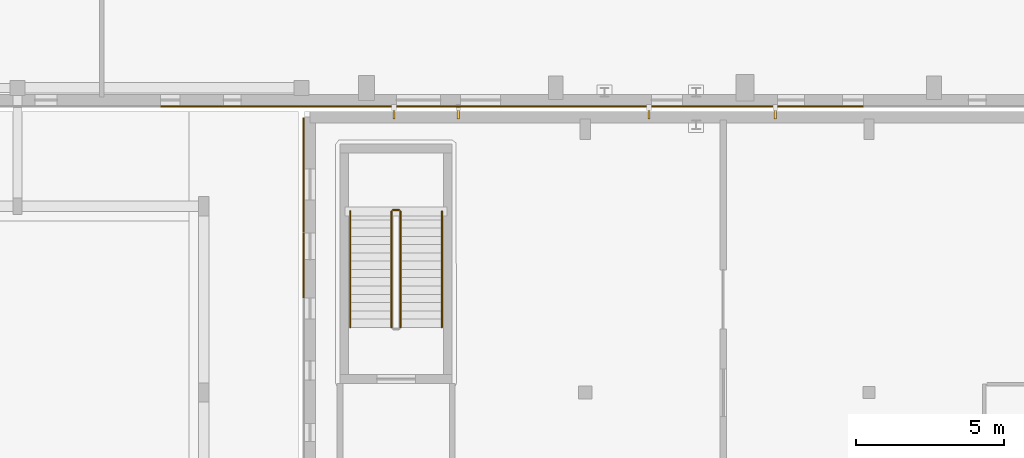
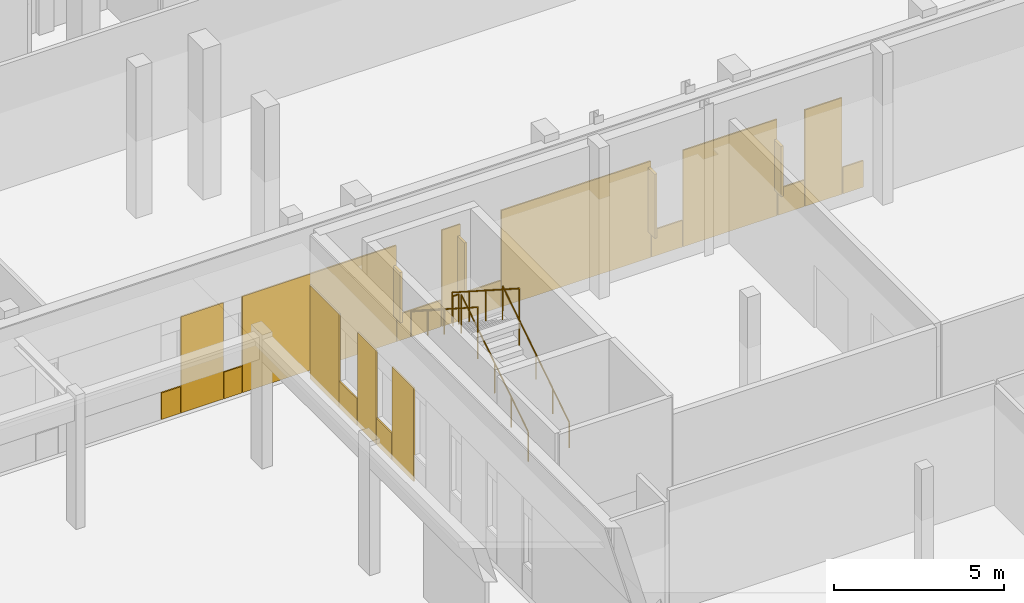
# One storey, part 66 of 84: 18 coverings, 5 railings, 4 shading devices.
"""IFC4 building model written with IfcOpenShell, lengths in metres."""

from ifc_helpers import new_model, si_unit, direction, frame, origin, origin_2d, place, context, subcontext, project, spatial, rectangle, circle, extrude, material, layer, layer_set, type_object, element, save


model = new_model("IFC4")

# Units and contexts
model_context = context("Model", 3, precision=1e-05, world=origin(), true_north=direction((0.0, 1.0)))
body_context = subcontext(model_context, "Body", "Model", "MODEL_VIEW")
ifc_project = project(units=[si_unit("LENGTHUNIT", "METRE"), si_unit("AREAUNIT", "SQUARE_METRE"), si_unit("VOLUMEUNIT", "CUBIC_METRE"), si_unit("PLANEANGLEUNIT", "RADIAN"), si_unit("MASSUNIT", "GRAM", prefix="KILO")], contexts=[model_context])

# Site, building, storey
site_placement = place(None, origin())
site = spatial("IfcSite", under=ifc_project, at=site_placement, CompositionType="ELEMENT")
building_placement = place(site_placement, origin())
building = spatial("IfcBuilding", under=site, at=building_placement, Name="Mzevani Central Library", CompositionType="ELEMENT")
storey_placement = place(building_placement, origin())
storey = spatial("IfcBuildingStorey", under=building, at=storey_placement, Name="L00", CompositionType="ELEMENT", Elevation=0.0)

# Shading devices
ifc_material_1 = material(Name="Anodized architectural bronze")
shading_device_type = type_object("IfcShadingDeviceType", Name="Anodized Bronze Vertical Sun-Breaker Fin", PredefinedType="USERDEFINED", material=ifc_material_1)
shading_device_1_placement = place(storey_placement, frame((128.030029296875, 42.27490234375, 0.9501953125), z_axis=(0.0, 0.0, 1.0), x_axis=(-1.0, 0.0, 0.0)))
element("IfcShadingDevice", 1, at=shading_device_1_placement, inside=storey, type_object=shading_device_type, Name="L00 V1 Solar Fin (12)", ObjectType="SOLAR FIN", PredefinedType="USERDEFINED", context=body_context, shape_type="SweptSolid", body=[
    extrude(rectangle(XDim=0.080078125, YDim=0.449951171875, at=origin_2d()), origin(), (0.0, 0.0, 1.0), 1.800048828125),
])
shading_device_2_placement = place(storey_placement, frame((123.7548828125, 42.27490234375, 0.9501953125), z_axis=(0.0, 0.0, 1.0), x_axis=(-1.0, 0.0, 0.0)))
element("IfcShadingDevice", 2, at=shading_device_2_placement, inside=storey, type_object=shading_device_type, Name="L00 V1 Solar Fin (13)", ObjectType="SOLAR FIN", PredefinedType="USERDEFINED", context=body_context, shape_type="SweptSolid", body=[
    extrude(rectangle(XDim=0.080078125, YDim=0.449951171875, at=origin_2d()), origin(), (0.0, 0.0, 1.0), 2.300048828125),
])
shading_device_3_placement = place(storey_placement, frame((117.304931640625, 42.27490234375, 0.949951171875), z_axis=(0.0, 0.0, 1.0), x_axis=(-1.0, 0.0, 0.0)))
element("IfcShadingDevice", 3, at=shading_device_3_placement, inside=storey, type_object=shading_device_type, Name="L00 V1 Solar Fin (14)", ObjectType="SOLAR FIN", PredefinedType="USERDEFINED", context=body_context, shape_type="SweptSolid", body=[
    extrude(rectangle(XDim=0.080078125, YDim=0.449951171875, at=origin_2d()), origin(), (0.0, 0.0, 1.0), 2.10009765625),
])
shading_device_4_placement = place(storey_placement, frame((115.1298828125, 42.27490234375, 0.9501953125), z_axis=(0.0, 0.0, 1.0), x_axis=(-1.0, 0.0, 0.0)))
element("IfcShadingDevice", 4, at=shading_device_4_placement, inside=storey, type_object=shading_device_type, Name="L00 V1 Solar Fin (15)", ObjectType="SOLAR FIN", PredefinedType="USERDEFINED", context=body_context, shape_type="SweptSolid", body=[
    extrude(rectangle(XDim=0.080078125, YDim=0.449951171875, at=origin_2d()), origin(), (0.0, 0.0, 1.0), 1.800048828125),
])

# Railings
ifc_material_2 = material(Name="Brushed stainless steel rail", Category="steel")
railing_type_1 = type_object("IfcRailingType", Name="Interior Gallery and Stair Guard 1100", PredefinedType="BALUSTRADE", material=ifc_material_2)
railing_1_placement = place(storey_placement, frame((115.35009765625, 35.0, 0.179931640625)))
element("IfcRailing", 5, at=railing_1_placement, inside=storey, type_object=railing_type_1, Name="L00 ST-11 stair guard 1", PredefinedType="BALUSTRADE", context=body_context, shape_type="SweptSolid", body=[
    extrude(circle(Radius=0.02392578125, at=origin_2d()), frame((0.0, 0.0, 1.076171875), z_axis=(0.0, 0.841171666519, 0.540768182723), x_axis=(-1.0, 0.0, 0.0)), (0.0, 0.0, 1.0), 4.66015625),
    extrude(circle(Radius=0.02099609375, at=origin_2d()), origin(), (0.0, 0.0, 1.0), 1.052001953125),
    extrude(circle(Radius=0.02099609375, at=origin_2d()), frame((0.0, 0.97998046875, 0.6298828125)), (0.0, 0.0, 1.0), 1.052001953125),
    extrude(circle(Radius=0.02099609375, at=origin_2d()), frame((0.0, 1.9599609375, 1.260009765625)), (0.0, 0.0, 1.0), 1.052001953125),
    extrude(circle(Radius=0.02099609375, at=origin_2d()), frame((0.0, 2.93994140625, 1.89013671875)), (0.0, 0.0, 1.0), 1.052001953125),
    extrude(circle(Radius=0.02099609375, at=origin_2d()), frame((0.0, 3.919921875, 2.52001953125)), (0.0, 0.0, 1.0), 1.052001953125),
])
railing_2_placement = place(storey_placement, frame((115.300048828125, 38.969970703125, 2.699951171875)))
element("IfcRailing", 6, at=railing_2_placement, inside=storey, type_object=railing_type_1, Name="L00 ST-11 stair guard 2", PredefinedType="BALUSTRADE", context=body_context, shape_type="SweptSolid", body=[
    extrude(circle(Radius=0.02392578125, at=origin_2d()), frame((0.0, 0.0, 1.076171875), z_axis=(-1.0, 0.0, 0.0), x_axis=(0.0, -1.0, 0.0)), (0.0, 0.0, 1.0), 0.199951171875),
    extrude(circle(Radius=0.02099609375, at=origin_2d()), origin(), (0.0, 0.0, 1.0), 1.052001953125),
    extrude(circle(Radius=0.02099609375, at=origin_2d()), frame((-0.199951171875, 0.0, 0.0)), (0.0, 0.0, 1.0), 1.052001953125),
])
railing_3_placement = place(storey_placement, frame((115.050048828125, 38.919921875, 2.8798828125)))
element("IfcRailing", 7, at=railing_3_placement, inside=storey, type_object=railing_type_1, Name="L00 ST-11 stair guard 3", PredefinedType="BALUSTRADE", context=body_context, shape_type="SweptSolid", body=[
    extrude(circle(Radius=0.02392578125, at=origin_2d()), frame((0.0, 0.0, 1.076171875), z_axis=(0.0, -0.841171666519, 0.540768182723), x_axis=(1.0, 0.0, 0.0)), (0.0, 0.0, 1.0), 4.66015625),
    extrude(circle(Radius=0.02099609375, at=origin_2d()), origin(), (0.0, 0.0, 1.0), 1.052001953125),
    extrude(circle(Radius=0.02099609375, at=origin_2d()), frame((0.0, -0.97998046875, 0.6298828125)), (0.0, 0.0, 1.0), 1.052001953125),
    extrude(circle(Radius=0.02099609375, at=origin_2d()), frame((0.0, -1.9599609375, 1.260009765625)), (0.0, 0.0, 1.0), 1.052001953125),
    extrude(circle(Radius=0.02099609375, at=origin_2d()), frame((0.0, -2.93994140625, 1.89013671875)), (0.0, 0.0, 1.0), 1.052001953125),
    extrude(circle(Radius=0.02099609375, at=origin_2d()), frame((0.0, -3.919921875, 2.52001953125)), (0.0, 0.0, 1.0), 1.052001953125),
])

# Coverings
ifc_material_3 = material(Name="Limestone ashlar cladding", Category="masonry")
ifc_layer = layer(ifc_material_3, 0.050048828125, Name="Limestone Ashlar Spandrel Cladding")
ifc_layer_set = layer_set([ifc_layer], Name="Limestone ashlar cladding")
covering_type = type_object("IfcCoveringType", Name="Limestone Ashlar Spandrel Cladding", PredefinedType="CLADDING", material=ifc_layer_set)
covering_1_placement = place(storey_placement, frame((130.659912109375, 42.47607421875, 0.0), z_axis=(0.0, 0.0, 1.0), x_axis=(-1.0, 0.0, 0.0)))
element("IfcCovering", 8, at=covering_1_placement, inside=storey, type_object=covering_type, Name="L00 Warm-White Sill Cladding 22 (EW4-V1-L00-0002)", PredefinedType="CLADDING", context=body_context, shape_type="SweptSolid", body=[
    extrude(rectangle(XDim=0.699951171875, YDim=0.050048828125, at=origin_2d()), origin(), (0.0, 0.0, 1.0), 0.949951171875),
])
covering_2_placement = place(storey_placement, frame((129.659912109375, 42.47607421875, 0.0), z_axis=(0.0, 0.0, 1.0), x_axis=(-1.0, 0.0, 0.0)))
element("IfcCovering", 9, at=covering_2_placement, inside=storey, type_object=covering_type, Name="L00 Warm-White Facade Pier 23 (EW4-V1-L00-0002)", PredefinedType="CLADDING", context=body_context, shape_type="SweptSolid", body=[
    extrude(rectangle(XDim=1.260009765625, YDim=0.050048828125, at=origin_2d()), origin(), (0.0, 0.0, 1.0), 3.449951171875),
])
covering_3_placement = place(storey_placement, frame((128.56005859375, 42.47607421875, 0.0), z_axis=(0.0, 0.0, 1.0), x_axis=(-1.0, 0.0, 0.0)))
element("IfcCovering", 10, at=covering_3_placement, inside=storey, type_object=covering_type, Name="L00 Warm-White Sill Cladding 24 (EW4-V1-L00-0002)", PredefinedType="CLADDING", context=body_context, shape_type="SweptSolid", body=[
    extrude(rectangle(XDim=0.89990234375, YDim=0.050048828125, at=origin_2d()), origin(), (0.0, 0.0, 1.0), 0.949951171875),
])
covering_4_placement = place(storey_placement, frame((126.49755859375, 42.47607421875, 0.0), z_axis=(0.0, 0.0, 1.0), x_axis=(-1.0, 0.0, 0.0)))
element("IfcCovering", 11, at=covering_4_placement, inside=storey, type_object=covering_type, Name="L00 Warm-White Facade Pier 25 (EW4-V1-L00-0002)", PredefinedType="CLADDING", context=body_context, shape_type="SweptSolid", body=[
    extrude(rectangle(XDim=3.18505859375, YDim=0.050048828125, at=origin_2d()), origin(), (0.0, 0.0, 1.0), 3.449951171875),
])
covering_5_placement = place(storey_placement, frame((124.360107421875, 42.47607421875, 0.0), z_axis=(0.0, 0.0, 1.0), x_axis=(-1.0, 0.0, 0.0)))
element("IfcCovering", 12, at=covering_5_placement, inside=storey, type_object=covering_type, Name="L00 Warm-White Sill Cladding 26 (EW4-V1-L00-0002)", PredefinedType="CLADDING", context=body_context, shape_type="SweptSolid", body=[
    extrude(rectangle(XDim=1.050048828125, YDim=0.050048828125, at=origin_2d()), origin(), (0.0, 0.0, 1.0), 0.949951171875),
])
covering_6_placement = place(storey_placement, frame((121.284912109375, 42.47607421875, 0.0), z_axis=(0.0, 0.0, 1.0), x_axis=(-1.0, 0.0, 0.0)))
element("IfcCovering", 13, at=covering_6_placement, inside=storey, type_object=covering_type, Name="L00 Warm-White Facade Pier 27 (EW4-V1-L00-0002)", PredefinedType="CLADDING", context=body_context, shape_type="SweptSolid", body=[
    extrude(rectangle(XDim=5.06005859375, YDim=0.050048828125, at=origin_2d()), origin(), (0.0, 0.0, 1.0), 3.449951171875),
])
covering_7_placement = place(storey_placement, frame((118.06005859375, 42.47607421875, 0.0), z_axis=(0.0, 0.0, 1.0), x_axis=(-1.0, 0.0, 0.0)))
element("IfcCovering", 14, at=covering_7_placement, inside=storey, type_object=covering_type, Name="L00 Warm-White Sill Cladding 28 (EW4-V1-L00-0002)", PredefinedType="CLADDING", context=body_context, shape_type="SweptSolid", body=[
    extrude(rectangle(XDim=1.35009765625, YDim=0.050048828125, at=origin_2d()), origin(), (0.0, 0.0, 1.0), 0.949951171875),
])
covering_8_placement = place(storey_placement, frame((117.047607421875, 42.47607421875, 0.0), z_axis=(0.0, 0.0, 1.0), x_axis=(-1.0, 0.0, 0.0)))
element("IfcCovering", 15, at=covering_8_placement, inside=storey, type_object=covering_type, Name="L00 Warm-White Facade Pier 29 (EW4-V1-L00-0002)", PredefinedType="CLADDING", context=body_context, shape_type="SweptSolid", body=[
    extrude(rectangle(XDim=0.635009765625, YDim=0.050048828125, at=origin_2d()), origin(), (0.0, 0.0, 1.0), 3.449951171875),
])
covering_9_placement = place(storey_placement, frame((115.9599609375, 42.47607421875, 0.0), z_axis=(0.0, 0.0, 1.0), x_axis=(-1.0, 0.0, 0.0)))
element("IfcCovering", 16, at=covering_9_placement, inside=storey, type_object=covering_type, Name="L00 Warm-White Sill Cladding 30 (EW4-V1-L00-0002)", PredefinedType="CLADDING", context=body_context, shape_type="SweptSolid", body=[
    extrude(rectangle(XDim=1.5, YDim=0.050048828125, at=origin_2d()), origin(), (0.0, 0.0, 1.0), 0.949951171875),
])
covering_10_placement = place(storey_placement, frame((112.5849609375, 42.47607421875, 0.0), z_axis=(0.0, 0.0, 1.0), x_axis=(-1.0, 0.0, 0.0)))
element("IfcCovering", 17, at=covering_10_placement, inside=storey, type_object=covering_type, Name="L00 Warm-White Facade Pier 31 (EW4-V1-L00-0002)", PredefinedType="CLADDING", context=body_context, shape_type="SweptSolid", body=[
    extrude(rectangle(XDim=5.2099609375, YDim=0.050048828125, at=origin_2d()), origin(), (0.0, 0.0, 1.0), 3.449951171875),
])
covering_11_placement = place(storey_placement, frame((109.659912109375, 42.47607421875, 0.0), z_axis=(0.0, 0.0, 1.0), x_axis=(-1.0, 0.0, 0.0)))
element("IfcCovering", 18, at=covering_11_placement, inside=storey, type_object=covering_type, Name="L00 Warm-White Sill Cladding 32 (EW4-V1-L00-0002)", PredefinedType="CLADDING", context=body_context, shape_type="SweptSolid", body=[
    extrude(rectangle(XDim=0.60009765625, YDim=0.050048828125, at=origin_2d()), origin(), (0.0, 0.0, 1.0), 0.949951171875),
])
covering_12_placement = place(storey_placement, frame((108.62255859375, 42.47607421875, 0.0), z_axis=(0.0, 0.0, 1.0), x_axis=(-1.0, 0.0, 0.0)))
element("IfcCovering", 19, at=covering_12_placement, inside=storey, type_object=covering_type, Name="L00 Warm-White Facade Pier 33 (EW4-V1-L00-0002)", PredefinedType="CLADDING", context=body_context, shape_type="SweptSolid", body=[
    extrude(rectangle(XDim=1.43505859375, YDim=0.050048828125, at=origin_2d()), origin(), (0.0, 0.0, 1.0), 3.449951171875),
])
covering_13_placement = place(storey_placement, frame((107.56005859375, 42.47607421875, 0.0), z_axis=(0.0, 0.0, 1.0), x_axis=(-1.0, 0.0, 0.0)))
element("IfcCovering", 20, at=covering_13_placement, inside=storey, type_object=covering_type, Name="L00 Warm-White Sill Cladding 34 (EW4-V1-L00-0002)", PredefinedType="CLADDING", context=body_context, shape_type="SweptSolid", body=[
    extrude(rectangle(XDim=0.64990234375, YDim=0.050048828125, at=origin_2d()), origin(), (0.0, 0.0, 1.0), 0.949951171875),
])
covering_14_placement = place(storey_placement, frame((112.075927734375, 36.639892578125, 0.0), z_axis=(0.0, 0.0, 1.0), x_axis=(0.0, 1.0, 0.0)))
element("IfcCovering", 21, at=covering_14_placement, inside=storey, type_object=covering_type, Name="L00 Warm-White Facade Pier 20 (EW4-V6-L00-0102)", PredefinedType="CLADDING", context=body_context, shape_type="SweptSolid", body=[
    extrude(rectangle(XDim=1.260009765625, YDim=0.050048828125, at=origin_2d()), origin(), (0.0, 0.0, 1.0), 3.35009765625),
])
covering_15_placement = place(storey_placement, frame((112.075927734375, 37.739990234375, 0.0), z_axis=(0.0, 0.0, 1.0), x_axis=(0.0, 1.0, 0.0)))
element("IfcCovering", 22, at=covering_15_placement, inside=storey, type_object=covering_type, Name="L00 Warm-White Sill Cladding 21 (EW4-V6-L00-0102)", PredefinedType="CLADDING", context=body_context, shape_type="SweptSolid", body=[
    extrude(rectangle(XDim=0.89990234375, YDim=0.050048828125, at=origin_2d()), origin(), (0.0, 0.0, 1.0), 0.949951171875),
])
covering_16_placement = place(storey_placement, frame((112.075927734375, 38.75244140625, 0.0), z_axis=(0.0, 0.0, 1.0), x_axis=(0.0, 1.0, 0.0)))
element("IfcCovering", 23, at=covering_16_placement, inside=storey, type_object=covering_type, Name="L00 Warm-White Facade Pier 22 (EW4-V6-L00-0102)", PredefinedType="CLADDING", context=body_context, shape_type="SweptSolid", body=[
    extrude(rectangle(XDim=1.0849609375, YDim=0.050048828125, at=origin_2d()), origin(), (0.0, 0.0, 1.0), 3.35009765625),
])
covering_17_placement = place(storey_placement, frame((112.075927734375, 39.840087890625, 0.0), z_axis=(0.0, 0.0, 1.0), x_axis=(0.0, 1.0, 0.0)))
element("IfcCovering", 24, at=covering_17_placement, inside=storey, type_object=covering_type, Name="L00 Warm-White Sill Cladding 23 (EW4-V6-L00-0102)", PredefinedType="CLADDING", context=body_context, shape_type="SweptSolid", body=[
    extrude(rectangle(XDim=1.050048828125, YDim=0.050048828125, at=origin_2d()), origin(), (0.0, 0.0, 1.0), 0.949951171875),
])
covering_18_placement = place(storey_placement, frame((112.075927734375, 41.237548828125, 0.0), z_axis=(0.0, 0.0, 1.0), x_axis=(0.0, 1.0, 0.0)))
element("IfcCovering", 25, at=covering_18_placement, inside=storey, type_object=covering_type, Name="L00 Warm-White Facade Pier 24 (EW4-V6-L00-0102)", PredefinedType="CLADDING", context=body_context, shape_type="SweptSolid", body=[
    extrude(rectangle(XDim=1.705078125, YDim=0.050048828125, at=origin_2d()), origin(), (0.0, 0.0, 1.0), 3.35009765625),
])

# Railings
railing_type_2 = type_object("IfcRailingType", Name="Stair Wall Handrail 920", PredefinedType="HANDRAIL", material=ifc_material_2)
railing_4_placement = place(storey_placement, frame((116.75, 35.0, 0.179931640625)))
element("IfcRailing", 26, at=railing_4_placement, inside=storey, type_object=railing_type_2, Name="L00 ST-11 stair handrail 1", PredefinedType="HANDRAIL", context=body_context, shape_type="SweptSolid", body=[
    extrude(circle(Radius=0.02392578125, at=origin_2d()), frame((0.0, 0.0, 0.89599609375), z_axis=(0.0, 0.841171666519, 0.540768182723), x_axis=(-1.0, 0.0, 0.0)), (0.0, 0.0, 1.0), 4.66015625),
    extrude(circle(Radius=0.02099609375, at=origin_2d()), origin(), (0.0, 0.0, 1.0), 0.871826171875),
    extrude(circle(Radius=0.02099609375, at=origin_2d()), frame((0.0, 0.97998046875, 0.6298828125)), (0.0, 0.0, 1.0), 0.871826171875),
    extrude(circle(Radius=0.02099609375, at=origin_2d()), frame((0.0, 1.9599609375, 1.260009765625)), (0.0, 0.0, 1.0), 0.871826171875),
    extrude(circle(Radius=0.02099609375, at=origin_2d()), frame((0.0, 2.93994140625, 1.89013671875)), (0.0, 0.0, 1.0), 0.871826171875),
    extrude(circle(Radius=0.02099609375, at=origin_2d()), frame((0.0, 3.919921875, 2.52001953125)), (0.0, 0.0, 1.0), 0.871826171875),
])
railing_5_placement = place(storey_placement, frame((113.64990234375, 38.919921875, 2.8798828125)))
element("IfcRailing", 27, at=railing_5_placement, inside=storey, type_object=railing_type_2, Name="L00 ST-11 stair handrail 2", PredefinedType="HANDRAIL", context=body_context, shape_type="SweptSolid", body=[
    extrude(circle(Radius=0.02392578125, at=origin_2d()), frame((0.0, 0.0, 0.89599609375), z_axis=(0.0, -0.841171666519, 0.540768182723), x_axis=(1.0, 0.0, 0.0)), (0.0, 0.0, 1.0), 4.66015625),
    extrude(circle(Radius=0.02099609375, at=origin_2d()), origin(), (0.0, 0.0, 1.0), 0.871826171875),
    extrude(circle(Radius=0.02099609375, at=origin_2d()), frame((0.0, -0.97998046875, 0.6298828125)), (0.0, 0.0, 1.0), 0.871826171875),
    extrude(circle(Radius=0.02099609375, at=origin_2d()), frame((0.0, -1.9599609375, 1.260009765625)), (0.0, 0.0, 1.0), 0.871826171875),
    extrude(circle(Radius=0.02099609375, at=origin_2d()), frame((0.0, -2.93994140625, 1.89013671875)), (0.0, 0.0, 1.0), 0.871826171875),
    extrude(circle(Radius=0.02099609375, at=origin_2d()), frame((0.0, -3.919921875, 2.52001953125)), (0.0, 0.0, 1.0), 0.871826171875),
])

save(model, "model.ifc")
